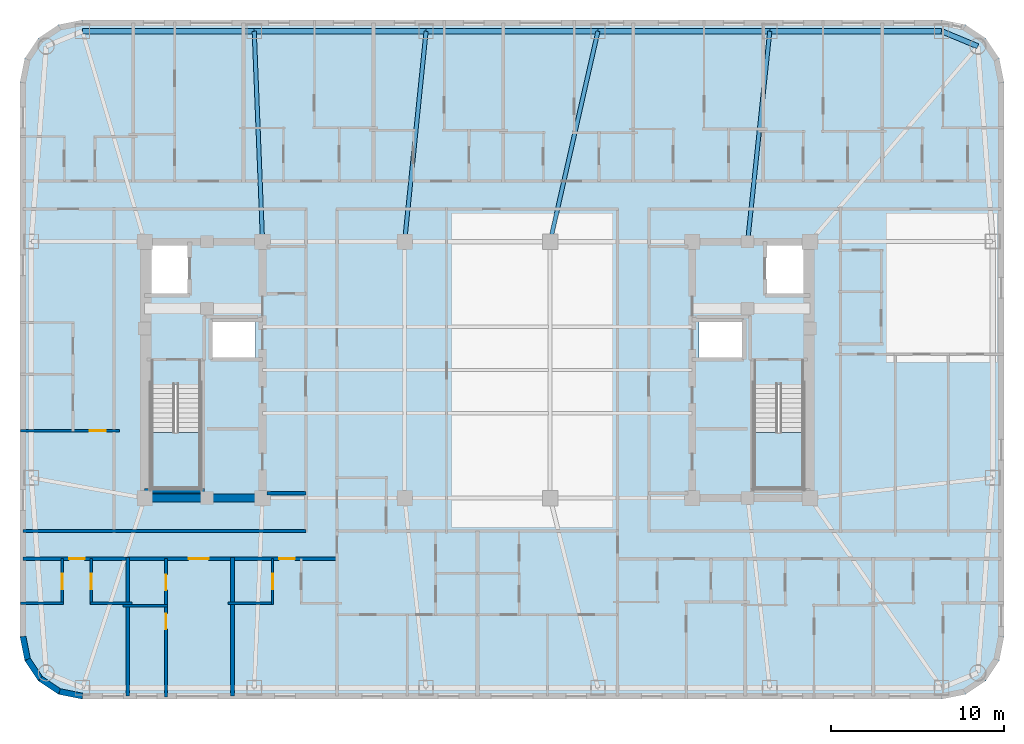
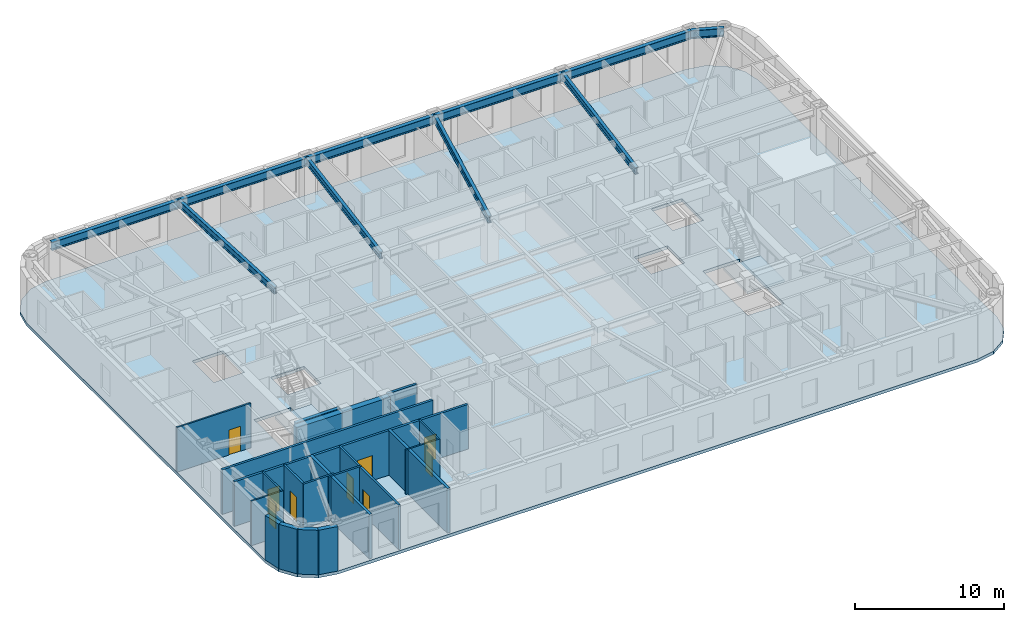
# One storey, part 2 of 11: 21 walls, 10 beams, 9 doors, 3 slabs, 9 openings, 2 elements without a shape of their own.
"""IFC4 building model written with IfcOpenShell, lengths in metres."""

from ifc_helpers import new_model, si_unit, direction, frame, frame_2d, origin, origin_2d, place, context, subcontext, project, spatial, polyline, rectangle, i_section, outline, extrude, material, layer, layer_set, material_profile, profile_set, type_object, element, fill, aggregate, save


model = new_model("IFC4")

# Units and contexts
model_context = context("Model", 3, precision=1e-05, world=origin(), true_north=direction((0.0, 1.0)))
body_context = subcontext(model_context, "Body", "Model", "MODEL_VIEW")
ifc_project = project(units=[si_unit("LENGTHUNIT", "METRE"), si_unit("AREAUNIT", "SQUARE_METRE"), si_unit("VOLUMEUNIT", "CUBIC_METRE"), si_unit("PLANEANGLEUNIT", "RADIAN"), si_unit("MASSUNIT", "GRAM", prefix="KILO")], contexts=[model_context])

# Site, building, storey
site_placement = place(None, origin())
site = spatial("IfcSite", under=ifc_project, at=site_placement, CompositionType="ELEMENT")
building_placement = place(site_placement, origin())
building = spatial("IfcBuilding", under=site, at=building_placement, Name="Voryun Gate Residences", CompositionType="ELEMENT")
storey_placement = place(building_placement, frame((0.0, 0.0, 243.10009765625)))
storey = spatial("IfcBuildingStorey", under=building, at=storey_placement, Name="L60", CompositionType="ELEMENT", Elevation=243.10009765625)

# Beams
ifc_material_1 = material(Name="Steel SM355", Category="steel")
ifc_material_profile_1 = material_profile(ifc_material_1, i_section(OverallWidth=0.300048828125, OverallDepth=0.679931640625, WebThickness=0.013916015625, FlangeThickness=0.02490234375, FilletRadius=0.01806640625, at=origin_2d()), Name="H-680x300x14x25")
ifc_profile_set_1 = profile_set([ifc_material_profile_1], Name="Steel SM355")
beam_type_1 = type_object("IfcBeamType", Name="BM_EXO_SPANDREL_M", PredefinedType="SPANDREL", material=ifc_profile_set_1)
beam_1_placement = place(storey_placement, frame((28.885986328125, 18.68603515625, 3.309814453125), z_axis=(-0.923881087602, 0.382679678022, 0.0), x_axis=(-0.382679678022, -0.923881087602, 0.0)))
element("IfcBeam", 1, at=beam_1_placement, inside=storey, type_object=beam_type_1, Name="BM-L60-SPAND-10", PredefinedType="SPANDREL", context=body_context, shape_type="SweptSolid", body=[
    extrude(i_section(OverallWidth=0.300048828125, OverallDepth=0.679931640625, WebThickness=0.013916015625, FlangeThickness=0.02490234375, FilletRadius=0.01806640625, at=origin_2d()), origin(), (0.0, 0.0, 1.0), 2.2578125),
])
beam_2_placement = place(storey_placement, frame((26.800048828125, 19.550048828125, 3.309814453125), z_axis=(-1.0, 0.0, 0.0), x_axis=(0.0, -1.0, 0.0)))
element("IfcBeam", 2, at=beam_2_placement, inside=storey, type_object=beam_type_1, Name="BM-L60-SPAND-11", PredefinedType="SPANDREL", context=body_context, shape_type="SweptSolid", body=[
    extrude(i_section(OverallWidth=0.300048828125, OverallDepth=0.679931640625, WebThickness=0.013916015625, FlangeThickness=0.02490234375, FilletRadius=0.01806640625, at=origin_2d()), origin(), (0.0, 0.0, 1.0), 9.920166015625),
])
for number, where, z_axis, x_axis, name in (
    (3, (16.8798828125, 19.550048828125, 3.309814453125), (-1.0, 0.0, 0.0), (0.0, -1.0, 0.0), "BM-L60-SPAND-12"),
    (4, (6.9599609375, 19.550048828125, 3.309814453125), (-1.0, 0.0, 0.0), (0.0, -1.0, 0.0), "BM-L60-SPAND-13"),
    (5, (-2.9599609375, 19.550048828125, 3.309814453125), (-1.0, 0.0, 0.0), (0.0, -1.0, 0.0), "BM-L60-SPAND-14"),
):
    element("IfcBeam", number, at=place(storey_placement, frame(where, z_axis=z_axis, x_axis=x_axis)), inside=storey, type_object=beam_type_1, Name=name, PredefinedType="SPANDREL", context=body_context, shape_type="SweptSolid", body=[
        extrude(i_section(OverallWidth=0.300048828125, OverallDepth=0.679931640625, WebThickness=0.013916015625, FlangeThickness=0.02490234375, FilletRadius=0.01806640625, at=origin_2d()), origin(), (0.0, 0.0, 1.0), 9.919921875),
    ])
beam_3_placement = place(storey_placement, frame((-12.8798828125, 19.550048828125, 3.309814453125), z_axis=(-1.0, 0.0, 0.0), x_axis=(0.0, -1.0, 0.0)))
element("IfcBeam", 6, at=beam_3_placement, inside=storey, type_object=beam_type_1, Name="BM-L60-SPAND-15", PredefinedType="SPANDREL", context=body_context, shape_type="SweptSolid", body=[
    extrude(i_section(OverallWidth=0.300048828125, OverallDepth=0.679931640625, WebThickness=0.013916015625, FlangeThickness=0.02490234375, FilletRadius=0.01806640625, at=origin_2d()), origin(), (0.0, 0.0, 1.0), 9.920166015625),
])
ifc_material_2 = material(Name="Steel SM355", Category="steel")
ifc_material_profile_2 = material_profile(ifc_material_2, i_section(OverallWidth=0.239990234375, OverallDepth=0.550048828125, WebThickness=0.011962890625, FlangeThickness=0.02001953125, FilletRadius=0.01806640625, at=origin_2d()), Name="H-550x240x12x20")
ifc_profile_set_2 = profile_set([ifc_material_profile_2], Name="Steel SM355")
beam_type_2 = type_object("IfcBeamType", Name="BM_GIRD_550", PredefinedType="USERDEFINED", material=ifc_profile_set_2)
beam_4_placement = place(storey_placement, frame((15.60009765625, 7.39990234375, 3.375), z_axis=(0.104751358085, 0.994498442925, 0.0), x_axis=(-0.994498442925, 0.104751358085, 0.0)))
element("IfcBeam", 7, at=beam_4_placement, inside=storey, type_object=beam_type_2, Name="BM-L60-RAD-N2", ObjectType="GIRDER", PredefinedType="USERDEFINED", context=body_context, shape_type="SweptSolid", body=[
    extrude(i_section(OverallWidth=0.239990234375, OverallDepth=0.550048828125, WebThickness=0.011962890625, FlangeThickness=0.02001953125, FilletRadius=0.01806640625, at=origin_2d()), origin(), (0.0, 0.0, 1.0), 12.21728515625),
])
beam_5_placement = place(storey_placement, frame((4.199951171875, 7.39990234375, 3.375), z_axis=(0.221515238368, 0.975156910026, 0.0), x_axis=(-0.975156910026, 0.221515238368, 0.0)))
element("IfcBeam", 8, at=beam_5_placement, inside=storey, type_object=beam_type_2, Name="BM-L60-RAD-N3", ObjectType="GIRDER", PredefinedType="USERDEFINED", context=body_context, shape_type="SweptSolid", body=[
    extrude(i_section(OverallWidth=0.239990234375, OverallDepth=0.550048828125, WebThickness=0.011962890625, FlangeThickness=0.02001953125, FilletRadius=0.01806640625, at=origin_2d()), origin(), (0.0, 0.0, 1.0), 12.459716796875),
])
beam_6_placement = place(storey_placement, frame((-4.199951171875, 7.39990234375, 3.375), z_axis=(0.101528223047, 0.994832659257, 0.0), x_axis=(-0.994832659257, 0.101528223047, 0.0)))
element("IfcBeam", 9, at=beam_6_placement, inside=storey, type_object=beam_type_2, Name="BM-L60-RAD-N4", ObjectType="GIRDER", PredefinedType="USERDEFINED", context=body_context, shape_type="SweptSolid", body=[
    extrude(i_section(OverallWidth=0.239990234375, OverallDepth=0.550048828125, WebThickness=0.011962890625, FlangeThickness=0.02001953125, FilletRadius=0.01806640625, at=origin_2d()), origin(), (0.0, 0.0, 1.0), 12.213134765625),
])
beam_7_placement = place(storey_placement, frame((-12.39990234375, 7.39990234375, 3.375), z_axis=(-0.039473300578, 0.999220625558, 0.0), x_axis=(-0.999220625558, -0.039473300578, 0.0)))
element("IfcBeam", 10, at=beam_7_placement, inside=storey, type_object=beam_type_2, Name="BM-L60-RAD-N5", ObjectType="GIRDER", PredefinedType="USERDEFINED", context=body_context, shape_type="SweptSolid", body=[
    extrude(i_section(OverallWidth=0.239990234375, OverallDepth=0.550048828125, WebThickness=0.011962890625, FlangeThickness=0.02001953125, FilletRadius=0.01806640625, at=origin_2d()), origin(), (0.0, 0.0, 1.0), 12.15966796875),
])

# Slab
ifc_material_3 = material(Name="Concrete C40/50", Category="concrete")
ifc_layer_1 = layer(ifc_material_3, 0.25, Name="SLB_RES_250")
ifc_layer_set_1 = layer_set([ifc_layer_1], Name="Concrete C40/50")
slab_type_1 = type_object("IfcSlabType", Name="SLB_RES_250", PredefinedType="FLOOR", material=ifc_layer_set_1)
slab_1_placement = place(storey_placement, frame((0.0, 0.0, -0.25)))
element("IfcSlab", 11, at=slab_1_placement, inside=storey, type_object=slab_type_1, Name="L60 Structural Floor Slab", PredefinedType="FLOOR", context=body_context, shape_type="SweptSolid", body=[
    extrude(outline(polyline([(-22.800048828125, -19.0), (-24.177734375, -18.72607421875), (-25.345458984375, -17.945556640625), (-26.1259765625, -16.777587890625), (-26.39990234375, -15.39990234375), (-26.39990234375, 16.60009765625), (-26.1259765625, 17.9775390625), (-25.345458984375, 19.1455078125), (-24.177734375, 19.926025390625), (-22.800048828125, 20.199951171875), (26.800048828125, 20.199951171875), (28.177734375, 19.926025390625), (29.345458984375, 19.1455078125), (30.1259765625, 17.9775390625), (30.39990234375, 16.60009765625), (30.39990234375, -15.39990234375), (30.1259765625, -16.777587890625), (29.345458984375, -17.945556640625), (28.177734375, -18.72607421875), (26.800048828125, -19.0), (-22.800048828125, -19.0)]), holes=[polyline([(-15.97509765625, -0.840087890625), (-18.824951171875, -0.840087890625), (-18.824951171875, -6.85009765625), (-15.97509765625, -6.85009765625), (-15.97509765625, -0.840087890625)]), polyline([(18.824951171875, -6.85009765625), (18.824951171875, -0.840087890625), (15.97509765625, -0.840087890625), (15.97509765625, -6.85009765625), (18.824951171875, -6.85009765625)]), polyline([(-12.800048828125, 2.89990234375), (-15.39990234375, 2.89990234375), (-15.39990234375, 0.60009765625), (-12.800048828125, 0.60009765625), (-12.800048828125, 2.89990234375)]), polyline([(12.800048828125, 2.89990234375), (12.800048828125, 0.60009765625), (15.39990234375, 0.60009765625), (15.39990234375, 2.89990234375), (12.800048828125, 2.89990234375)]), polyline([(-16.60009765625, 7.199951171875), (-19.0, 7.199951171875), (-19.0, 4.300048828125), (-16.60009765625, 4.300048828125), (-16.60009765625, 7.199951171875)]), polyline([(19.0, 7.199951171875), (16.60009765625, 7.199951171875), (16.60009765625, 4.300048828125), (19.0, 4.300048828125), (19.0, 7.199951171875)])]), origin(), (0.0, 0.0, 1.0), 0.25),
])

# Stair, slab
ifc_material_4 = material(Name="Concrete C40/50", Category="concrete")
stair_type = type_object("IfcStairType", Name="STR_CORE_DOGLEG_1350", PredefinedType="HALF_TURN_STAIR", material=ifc_material_4)
stair_1_placement = place(storey_placement, origin())
stair_1 = element("IfcStair", 12, at=stair_1_placement, inside=storey, type_object=stair_type, Name="L60 Special Escape Stair ST-W1", PredefinedType="HALF_TURN_STAIR")
ifc_material_5 = material(Name="Concrete C40/50", Category="concrete")
ifc_layer_2 = layer(ifc_material_5, 0.199951171875, Name="SLB_STAIR_LANDING_200")
ifc_layer_set_2 = layer_set([ifc_layer_2], Name="Concrete C40/50")
slab_type_2 = type_object("IfcSlabType", Name="SLB_STAIR_LANDING_200", PredefinedType="LANDING", material=ifc_layer_set_2)
slab_2_placement = place(storey_placement, frame((0.0, 0.0, 1.75)))
slab_2 = element("IfcSlab", 13, at=slab_2_placement, type_object=slab_type_2, Name="ST-W1 landing 1", PredefinedType="LANDING", context=body_context, shape_type="SweptSolid", body=[
    extrude(outline(polyline([(-18.824951171875, -3.60009765625), (-18.824951171875, -6.85009765625), (-15.97509765625, -6.85009765625), (-15.97509765625, -3.60009765625), (-18.824951171875, -3.60009765625)])), origin(), (0.0, 0.0, 1.0), 0.199951171875),
])
aggregate(stair_1, [slab_2])

stair_2_placement = place(storey_placement, origin())
stair_2 = element("IfcStair", 14, at=stair_2_placement, inside=storey, type_object=stair_type, Name="L60 Special Escape Stair ST-E1", PredefinedType="HALF_TURN_STAIR")
slab_3_placement = place(storey_placement, frame((0.0, 0.0, 1.75)))
slab_3 = element("IfcSlab", 15, at=slab_3_placement, type_object=slab_type_2, Name="ST-E1 landing 1", PredefinedType="LANDING", context=body_context, shape_type="SweptSolid", body=[
    extrude(outline(polyline([(15.97509765625, -3.60009765625), (15.97509765625, -6.85009765625), (18.824951171875, -6.85009765625), (18.824951171875, -3.60009765625), (15.97509765625, -3.60009765625)])), origin(), (0.0, 0.0, 1.0), 0.199951171875),
])
aggregate(stair_2, [slab_3])

# Walls
ifc_material_6 = material(Name="Concrete C50/60", Category="concrete")
ifc_layer_3 = layer(ifc_material_6, 0.449951171875, Name="CW_CORE_450")
ifc_layer_set_3 = layer_set([ifc_layer_3], Name="Concrete C50/60")
wall_type_1 = type_object("IfcWallType", Name="CW_CORE_450", PredefinedType="SHEAR", material=ifc_layer_set_3)
wall_1_placement = place(storey_placement, frame((-19.425048828125, -7.39990234375, 0.0), z_axis=(0.0, 0.0, 1.0), x_axis=(1.0, 0.0, 0.0)))
element("IfcWall", 16, at=wall_1_placement, inside=storey, type_object=wall_type_1, Name="L60 Core shear wall CW-L60-WS", PredefinedType="SHEAR", context=body_context, shape_type="SweptSolid", body=[
    extrude(rectangle(XDim=7.25, YDim=0.449951171875, at=frame_2d((3.625, 0.0))), origin(), (0.0, 0.0, 1.0), 3.64990234375),
])
ifc_material_7 = material(Name="Gypsum acoustic fireboard")
ifc_layer_4 = layer(ifc_material_7, 0.179931640625, Name="W_CORR_RATED_180")
ifc_layer_set_4 = layer_set([ifc_layer_4], Name="Gypsum acoustic fireboard")
wall_type_2 = type_object("IfcWallType", Name="W_CORR_RATED_180", PredefinedType="PARTITIONING", material=ifc_layer_set_4)
wall_2_placement = place(storey_placement, frame((-12.14990234375, -7.1201171875, 0.0), z_axis=(0.0, 0.0, 1.0), x_axis=(1.0, 0.0, 0.0)))
element("IfcWall", 17, at=wall_2_placement, inside=storey, type_object=wall_type_2, Name="Partition wall WP-L60-PLBS-W", PredefinedType="PARTITIONING", context=body_context, shape_type="SweptSolid", body=[
    extrude(rectangle(XDim=2.27001953125, YDim=0.179931640625, at=frame_2d((1.135009765625, 0.0))), origin(), (0.0, 0.0, 1.0), 3.64990234375),
])
wall_3_placement = place(storey_placement, frame((-26.22998046875, -9.2900390625, 0.0), z_axis=(0.0, 0.0, 1.0), x_axis=(1.0, 0.0, 0.0)))
element("IfcWall", 18, at=wall_3_placement, inside=storey, type_object=wall_type_2, Name="Partition wall WP-L60-CWING-WS", PredefinedType="PARTITIONING", context=body_context, shape_type="SweptSolid", body=[
    extrude(rectangle(XDim=16.35009765625, YDim=0.179931640625, at=frame_2d((8.175048828125, 0.0))), origin(), (0.0, 0.0, 1.0), 3.64990234375),
])

# Wall, openings, doors
wall_4_placement = place(storey_placement, frame((-26.22998046875, -10.89990234375, 0.0), z_axis=(0.0, 0.0, 1.0), x_axis=(1.0, 0.0, 0.0)))
wall_4 = element("IfcWall", 19, at=wall_4_placement, inside=storey, type_object=wall_type_2, Name="Partition wall WP-L60-SCORR-W", PredefinedType="PARTITIONING", context=body_context, shape_type="SweptSolid", body=[
    extrude(rectangle(XDim=18.14990234375, YDim=0.179931640625, at=frame_2d((9.074951171875, 0.0))), origin(), (0.0, 0.0, 1.0), 3.64990234375),
])
opening_1_placement = place(wall_4_placement, frame((2.6591796875, 0.0, 0.0)))
opening_1 = element("IfcOpeningElement", 20, at=opening_1_placement, cuts=wall_4, Name="Opening D-INT-2", PredefinedType="OPENING", context=body_context, shape_type="SweptSolid", body=[
    extrude(rectangle(XDim=0.89990234375, YDim=2.050048828125, at=frame_2d((0.449951171875, 1.02490234375))), frame((0.0, 0.099853515625, 0.0), z_axis=(0.0, -1.0, 0.0), x_axis=(1.0, 0.0, 0.0)), (0.0, 0.0, 1.0), 0.199951171875),
])
opening_2_placement = place(wall_4_placement, frame((9.57080078125, 0.0, 0.0)))
opening_2 = element("IfcOpeningElement", 21, at=opening_2_placement, cuts=wall_4, Name="Opening D-UNIT-1", PredefinedType="OPENING", context=body_context, shape_type="SweptSolid", body=[
    extrude(rectangle(XDim=1.14990234375, YDim=2.050048828125, at=frame_2d((0.574951171875, 1.02490234375))), frame((0.0, 0.099853515625, 0.0), z_axis=(0.0, -1.0, 0.0), x_axis=(1.0, 0.0, 0.0)), (0.0, 0.0, 1.0), 0.199951171875),
])
opening_3_placement = place(wall_4_placement, frame((14.79248046875, 0.0, 0.0)))
opening_3 = element("IfcOpeningElement", 22, at=opening_3_placement, cuts=wall_4, Name="Opening D-INT-2", PredefinedType="OPENING", context=body_context, shape_type="SweptSolid", body=[
    extrude(rectangle(XDim=0.89990234375, YDim=2.050048828125, at=frame_2d((0.449951171875, 1.02490234375))), frame((0.0, 0.099853515625, 0.0), z_axis=(0.0, -1.0, 0.0), x_axis=(1.0, 0.0, 0.0)), (0.0, 0.0, 1.0), 0.199951171875),
])
ifc_material_8 = material(Name="Architectural oak veneer")
door_type_1 = type_object("IfcDoorType", Name="DR_INT_BATH_900", OperationType="NOTDEFINED", PredefinedType="DOOR", material=ifc_material_8)
door_1_placement = place(opening_1_placement, origin())
door_1 = element("IfcDoor", 23, at=door_1_placement, inside=storey, type_object=door_type_1, Name="Door DR-L60-SENT-1", OperationType="SINGLE_SWING_RIGHT", OverallHeight=2.050048828125, OverallWidth=0.89990234375, PredefinedType="DOOR", context=body_context, shape_type="SweptSolid", body=[
    extrude(rectangle(XDim=0.89990234375, YDim=2.050048828125, at=frame_2d((0.449951171875, 1.02490234375))), frame((0.0, 0.02490234375, 0.0), z_axis=(0.0, -1.0, 0.0), x_axis=(1.0, 0.0, 0.0)), (0.0, 0.0, 1.0), 0.050048828125),
])
fill(opening_1, door_1)
door_2_placement = place(opening_3_placement, origin())
door_2 = element("IfcDoor", 24, at=door_2_placement, inside=storey, type_object=door_type_1, Name="Door DR-L60-SENT-3", OperationType="SINGLE_SWING_RIGHT", OverallHeight=2.050048828125, OverallWidth=0.89990234375, PredefinedType="DOOR", context=body_context, shape_type="SweptSolid", body=[
    extrude(rectangle(XDim=0.89990234375, YDim=2.050048828125, at=frame_2d((0.449951171875, 1.02490234375))), frame((0.0, 0.02490234375, 0.0), z_axis=(0.0, -1.0, 0.0), x_axis=(1.0, 0.0, 0.0)), (0.0, 0.0, 1.0), 0.050048828125),
])
fill(opening_3, door_2)
ifc_material_9 = material(Name="Armoured timber-clad fire door", Category="wood")
door_type_2 = type_object("IfcDoorType", Name="DR_UNIT_ENTRY_1150", OperationType="NOTDEFINED", PredefinedType="DOOR", material=ifc_material_9)
door_3_placement = place(opening_2_placement, origin())
door_3 = element("IfcDoor", 25, at=door_3_placement, inside=storey, type_object=door_type_2, Name="Door DR-L60-SENT-2", OperationType="SINGLE_SWING_LEFT", OverallHeight=2.050048828125, OverallWidth=1.14990234375, PredefinedType="DOOR", context=body_context, shape_type="SweptSolid", body=[
    extrude(rectangle(XDim=1.14990234375, YDim=2.050048828125, at=frame_2d((0.574951171875, 1.02490234375))), frame((0.0, 0.02490234375, 0.0), z_axis=(0.0, -1.0, 0.0), x_axis=(1.0, 0.0, 0.0)), (0.0, 0.0, 1.0), 0.050048828125),
])
fill(opening_2, door_3)

# Walls
ifc_material_10 = material(Name="Charcoal terracotta masonry", Category="masonry")
ifc_layer_5 = layer(ifc_material_10, 0.340087890625, Name="W_EXT_TERRACOTTA_340")
ifc_layer_set_5 = layer_set([ifc_layer_5], Name="Charcoal terracotta masonry")
wall_type_3 = type_object("IfcWallType", Name="W_EXT_TERRACOTTA_340", PredefinedType="ELEMENTEDWALL", material=ifc_layer_set_5)
wall_5_placement = place(storey_placement, frame((-22.783203125, -18.830078125, 0.0), z_axis=(0.0, 0.0, 1.0), x_axis=(-0.980788153188, 0.195075878998, 0.0)))
element("IfcWall", 26, at=wall_5_placement, inside=storey, type_object=wall_type_3, Name="Exterior wall WEXT-L60-02", PredefinedType="ELEMENTEDWALL", context=body_context, shape_type="SweptSolid", body=[
    extrude(rectangle(XDim=1.354248046875, YDim=0.340087890625, at=frame_2d((0.67724609375, 0.0))), origin(), (0.0, 0.0, 1.0), 3.64990234375),
])
wall_6_placement = place(storey_placement, frame((-24.111328125, -18.56591796875, 0.0), z_axis=(0.0, 0.0, 1.0), x_axis=(-0.831403586725, 0.555669034571, 0.0)))
element("IfcWall", 27, at=wall_6_placement, inside=storey, type_object=wall_type_3, Name="Exterior wall WEXT-L60-03", PredefinedType="ELEMENTEDWALL", context=body_context, shape_type="SweptSolid", body=[
    extrude(rectangle(XDim=1.3369140625, YDim=0.340087890625, at=frame_2d((0.66845703125, 0.0))), origin(), (0.0, 0.0, 1.0), 3.64990234375),
])
wall_7_placement = place(storey_placement, frame((-25.222900390625, -17.822998046875, 0.0), z_axis=(0.0, 0.0, 1.0), x_axis=(-0.555584683399, 0.831459956686, 0.0)))
element("IfcWall", 28, at=wall_7_placement, inside=storey, type_object=wall_type_3, Name="Exterior wall WEXT-L60-04", PredefinedType="ELEMENTEDWALL", context=body_context, shape_type="SweptSolid", body=[
    extrude(rectangle(XDim=1.337158203125, YDim=0.340087890625, at=frame_2d((0.66845703125, 0.0))), origin(), (0.0, 0.0, 1.0), 3.64990234375),
])
wall_8_placement = place(storey_placement, frame((-25.9658203125, -16.711181640625, 0.0), z_axis=(0.0, 0.0, 1.0), x_axis=(-0.195110379894, 0.98078129043, 0.0)))
element("IfcWall", 29, at=wall_8_placement, inside=storey, type_object=wall_type_3, Name="Exterior wall WEXT-L60-05", PredefinedType="ELEMENTEDWALL", context=body_context, shape_type="SweptSolid", body=[
    extrude(rectangle(XDim=1.35400390625, YDim=0.340087890625, at=frame_2d((0.677001953125, 0.0))), origin(), (0.0, 0.0, 1.0), 3.64990234375),
])
ifc_material_11 = material(Name="Concrete C40/50", Category="concrete")
ifc_layer_6 = layer(ifc_material_11, 0.219970703125, Name="W_PARTY_ACOUSTIC_220")
ifc_layer_set_6 = layer_set([ifc_layer_6], Name="Concrete C40/50")
wall_type_4 = type_object("IfcWallType", Name="W_PARTY_ACOUSTIC_220", PredefinedType="PARTITIONING", material=ifc_layer_set_6)
for number, where, z_axis, x_axis, name in (
    (30, (-20.18505859375, -18.830078125, 0.0), (0.0, 0.0, 1.0), (0.0, 1.0, 0.0), "Partition wall WP-L60-SPTY-1"),
    (31, (-14.132080078125, -18.830078125, 0.0), (0.0, 0.0, 1.0), (0.0, 1.0, 0.0), "Partition wall WP-L60-SPTY-2"),
):
    element("IfcWall", number, at=place(storey_placement, frame(where, z_axis=z_axis, x_axis=x_axis)), inside=storey, type_object=wall_type_4, Name=name, PredefinedType="PARTITIONING", context=body_context, shape_type="SweptSolid", body=[
        extrude(rectangle(XDim=8.010009765625, YDim=0.219970703125, at=frame_2d((4.0048828125, 0.0))), origin(), (0.0, 0.0, 1.0), 3.64990234375),
    ])
ifc_material_12 = material(Name="Concrete C50/60", Category="concrete")
ifc_layer_7 = layer(ifc_material_12, 0.25, Name="W_SHAFT_RC250")
ifc_layer_set_7 = layer_set([ifc_layer_7], Name="Concrete C50/60")
wall_type_5 = type_object("IfcWallType", Name="W_SHAFT_RC250", PredefinedType="SOLIDWALL", material=ifc_layer_set_7)
wall_9_placement = place(storey_placement, frame((-19.199951171875, -6.965087890625, 0.0), z_axis=(0.0, 0.0, 1.0), x_axis=(1.0, 0.0, 0.0)))
element("IfcWall", 32, at=wall_9_placement, inside=storey, type_object=wall_type_5, Name="L60 Stair shaft structural wall W-STS", PredefinedType="SOLIDWALL", context=body_context, shape_type="SweptSolid", body=[
    extrude(rectangle(XDim=3.4599609375, YDim=0.25, at=frame_2d((1.72998046875, 0.0))), origin(), (0.0, 0.0, 1.0), 3.64990234375),
])

# Wall, opening, door
ifc_material_13 = material(Name="Gypsum acoustic partition")
ifc_layer_8 = layer(ifc_material_13, 0.125, Name="W_UNIT_PART_125")
ifc_layer_set_8 = layer_set([ifc_layer_8], Name="Gypsum acoustic partition")
wall_type_6 = type_object("IfcWallType", Name="W_UNIT_PART_125", PredefinedType="PARTITIONING", material=ifc_layer_set_8)
wall_10_placement = place(storey_placement, frame((-23.9599609375, -13.530029296875, 0.0), z_axis=(0.0, 0.0, 1.0), x_axis=(0.0, 1.0, 0.0)))
wall_10 = element("IfcWall", 33, at=wall_10_placement, inside=storey, type_object=wall_type_6, Name="Partition wall WP-L60-S1-CVK", PredefinedType="PARTITIONING", context=body_context, shape_type="SweptSolid", body=[
    extrude(rectangle(XDim=2.650146484375, YDim=0.125, at=frame_2d((1.3251953125, 0.0))), origin(), (0.0, 0.0, 1.0), 3.64990234375),
])
opening_4_placement = place(wall_10_placement, frame((0.875, 0.0, 0.0)))
opening_4 = element("IfcOpeningElement", 34, at=opening_4_placement, cuts=wall_10, Name="Opening D-INT-2", PredefinedType="OPENING", context=body_context, shape_type="SweptSolid", body=[
    extrude(rectangle(XDim=0.89990234375, YDim=2.050048828125, at=frame_2d((0.449951171875, 1.02490234375))), frame((0.0, 0.072509765625, 0.0), z_axis=(0.0, -1.0, 0.0), x_axis=(1.0, 0.0, 0.0)), (0.0, 0.0, 1.0), 0.14501953125),
])
door_4_placement = place(opening_4_placement, origin())
door_4 = element("IfcDoor", 35, at=door_4_placement, inside=storey, type_object=door_type_1, Name="Door DR-L60-S1-DK", OperationType="SINGLE_SWING_LEFT", OverallHeight=2.050048828125, OverallWidth=0.89990234375, PredefinedType="DOOR", context=body_context, shape_type="SweptSolid", body=[
    extrude(rectangle(XDim=0.89990234375, YDim=2.050048828125, at=frame_2d((0.449951171875, 1.02490234375))), frame((0.0, 0.02490234375, 0.0), z_axis=(0.0, -1.0, 0.0), x_axis=(1.0, 0.0, 0.0)), (0.0, 0.0, 1.0), 0.050048828125),
])
fill(opening_4, door_4)

# Wall
wall_11_placement = place(storey_placement, frame((-26.3798828125, -13.469970703125, 0.0), z_axis=(0.0, 0.0, 1.0), x_axis=(1.0, 0.0, 0.0)))
element("IfcWall", 36, at=wall_11_placement, inside=storey, type_object=wall_type_6, Name="Partition wall WP-L60-S1-CHK", PredefinedType="PARTITIONING", context=body_context, shape_type="SweptSolid", body=[
    extrude(rectangle(XDim=2.47998046875, YDim=0.125, at=frame_2d((1.239990234375, 0.0))), origin(), (0.0, 0.0, 1.0), 3.64990234375),
])

# Wall, opening, door
wall_12_placement = place(storey_placement, frame((-11.818115234375, -13.530029296875, 0.0), z_axis=(0.0, 0.0, 1.0), x_axis=(0.0, 1.0, 0.0)))
wall_12 = element("IfcWall", 37, at=wall_12_placement, inside=storey, type_object=wall_type_6, Name="Partition wall WP-L60-S3-CVK", PredefinedType="PARTITIONING", context=body_context, shape_type="SweptSolid", body=[
    extrude(rectangle(XDim=2.650146484375, YDim=0.125, at=frame_2d((1.3251953125, 0.0))), origin(), (0.0, 0.0, 1.0), 3.64990234375),
])
opening_5_placement = place(wall_12_placement, frame((0.875, 0.0, 0.0)))
opening_5 = element("IfcOpeningElement", 38, at=opening_5_placement, cuts=wall_12, Name="Opening D-INT-2", PredefinedType="OPENING", context=body_context, shape_type="SweptSolid", body=[
    extrude(rectangle(XDim=0.89990234375, YDim=2.050048828125, at=frame_2d((0.449951171875, 1.02490234375))), frame((0.0, 0.072509765625, 0.0), z_axis=(0.0, -1.0, 0.0), x_axis=(1.0, 0.0, 0.0)), (0.0, 0.0, 1.0), 0.14501953125),
])
door_5_placement = place(opening_5_placement, origin())
door_5 = element("IfcDoor", 39, at=door_5_placement, inside=storey, type_object=door_type_1, Name="Door DR-L60-S3-DK", OperationType="SINGLE_SWING_LEFT", OverallHeight=2.050048828125, OverallWidth=0.89990234375, PredefinedType="DOOR", context=body_context, shape_type="SweptSolid", body=[
    extrude(rectangle(XDim=0.89990234375, YDim=2.050048828125, at=frame_2d((0.449951171875, 1.02490234375))), frame((0.0, 0.02490234375, 0.0), z_axis=(0.0, -1.0, 0.0), x_axis=(1.0, 0.0, 0.0)), (0.0, 0.0, 1.0), 0.050048828125),
])
fill(opening_5, door_5)

# Wall
wall_13_placement = place(storey_placement, frame((-14.39208984375, -13.469970703125, 0.0), z_axis=(0.0, 0.0, 1.0), x_axis=(1.0, 0.0, 0.0)))
element("IfcWall", 40, at=wall_13_placement, inside=storey, type_object=wall_type_6, Name="Partition wall WP-L60-S3-CHK", PredefinedType="PARTITIONING", context=body_context, shape_type="SweptSolid", body=[
    extrude(rectangle(XDim=2.634033203125, YDim=0.125, at=frame_2d((1.31689453125, 0.0))), origin(), (0.0, 0.0, 1.0), 3.64990234375),
])

# Wall, opening, door
wall_14_placement = place(storey_placement, frame((-26.3798828125, -3.510009765625, 0.0), z_axis=(0.0, 0.0, 1.0), x_axis=(1.0, 0.0, 0.0)))
wall_14 = element("IfcWall", 41, at=wall_14_placement, inside=storey, type_object=wall_type_6, Name="Partition wall WP-L60-W1-HZ3", PredefinedType="PARTITIONING", context=body_context, shape_type="SweptSolid", body=[
    extrude(rectangle(XDim=5.72998046875, YDim=0.125, at=frame_2d((2.864990234375, 0.0))), origin(), (0.0, 0.0, 1.0), 3.64990234375),
])
opening_6_placement = place(wall_14_placement, frame((4.019287109375, 0.0, 0.0)))
opening_6 = element("IfcOpeningElement", 42, at=opening_6_placement, cuts=wall_14, Name="Opening D-INT-2", PredefinedType="OPENING", context=body_context, shape_type="SweptSolid", body=[
    extrude(rectangle(XDim=0.89990234375, YDim=2.050048828125, at=frame_2d((0.449951171875, 1.02490234375))), frame((0.0, 0.072509765625, 0.0), z_axis=(0.0, -1.0, 0.0), x_axis=(1.0, 0.0, 0.0)), (0.0, 0.0, 1.0), 0.14501953125),
])
door_6_placement = place(opening_6_placement, origin())
door_6 = element("IfcDoor", 43, at=door_6_placement, inside=storey, type_object=door_type_1, Name="Door DR-L60-W1-DMB", OperationType="SINGLE_SWING_LEFT", OverallHeight=2.050048828125, OverallWidth=0.89990234375, PredefinedType="DOOR", context=body_context, shape_type="SweptSolid", body=[
    extrude(rectangle(XDim=0.89990234375, YDim=2.050048828125, at=frame_2d((0.449951171875, 1.02490234375))), frame((0.0, 0.02490234375, 0.0), z_axis=(0.0, -1.0, 0.0), x_axis=(1.0, 0.0, 0.0)), (0.0, 0.0, 1.0), 0.050048828125),
])
fill(opening_6, door_6)

ifc_material_14 = material(Name="Gypsum moisture-resistant partition")
ifc_layer_9 = layer(ifc_material_14, 0.14990234375, Name="W_WET_PLUMB_150")
ifc_layer_set_9 = layer_set([ifc_layer_9], Name="Gypsum moisture-resistant partition")
wall_type_7 = type_object("IfcWallType", Name="W_WET_PLUMB_150", PredefinedType="PLUMBINGWALL", material=ifc_layer_set_9)
wall_15_placement = place(storey_placement, frame((-22.281982421875, -13.530029296875, 0.0), z_axis=(0.0, 0.0, 1.0), x_axis=(0.0, 1.0, 0.0)))
wall_15 = element("IfcWall", 44, at=wall_15_placement, inside=storey, type_object=wall_type_7, Name="Partition wall WP-L60-S1-CVB", PredefinedType="PLUMBINGWALL", context=body_context, shape_type="SweptSolid", body=[
    extrude(rectangle(XDim=2.650146484375, YDim=0.14990234375, at=frame_2d((1.3251953125, 0.0))), origin(), (0.0, 0.0, 1.0), 3.64990234375),
])
opening_7_placement = place(wall_15_placement, frame((0.875, 0.0, 0.0)))
opening_7 = element("IfcOpeningElement", 45, at=opening_7_placement, cuts=wall_15, Name="Opening D-INT-2", PredefinedType="OPENING", context=body_context, shape_type="SweptSolid", body=[
    extrude(rectangle(XDim=0.89990234375, YDim=2.050048828125, at=frame_2d((0.449951171875, 1.02490234375))), frame((0.0, 0.0849609375, 0.0), z_axis=(0.0, -1.0, 0.0), x_axis=(1.0, 0.0, 0.0)), (0.0, 0.0, 1.0), 0.169921875),
])
door_7_placement = place(opening_7_placement, origin())
door_7 = element("IfcDoor", 46, at=door_7_placement, inside=storey, type_object=door_type_1, Name="Door DR-L60-S1-DB", OperationType="SINGLE_SWING_RIGHT", OverallHeight=2.050048828125, OverallWidth=0.89990234375, PredefinedType="DOOR", context=body_context, shape_type="SweptSolid", body=[
    extrude(rectangle(XDim=0.89990234375, YDim=2.050048828125, at=frame_2d((0.449951171875, 1.02490234375))), frame((0.0, 0.02490234375, 0.0), z_axis=(0.0, -1.0, 0.0), x_axis=(1.0, 0.0, 0.0)), (0.0, 0.0, 1.0), 0.050048828125),
])
fill(opening_7, door_7)

# Walls
wall_16_placement = place(storey_placement, frame((-22.342041015625, -13.469970703125, 0.0), z_axis=(0.0, 0.0, 1.0), x_axis=(1.0, 0.0, 0.0)))
element("IfcWall", 47, at=wall_16_placement, inside=storey, type_object=wall_type_7, Name="Partition wall WP-L60-S1-CHB", PredefinedType="PLUMBINGWALL", context=body_context, shape_type="SweptSolid", body=[
    extrude(rectangle(XDim=2.4169921875, YDim=0.14990234375, at=frame_2d((1.20849609375, 0.0))), origin(), (0.0, 0.0, 1.0), 3.64990234375),
])
wall_17_placement = place(storey_placement, frame((-20.445068359375, -13.60009765625, 0.0), z_axis=(0.0, 0.0, 1.0), x_axis=(1.0, 0.0, 0.0)))
element("IfcWall", 48, at=wall_17_placement, inside=storey, type_object=wall_type_7, Name="Partition wall WP-L60-S2-SKB", PredefinedType="PLUMBINGWALL", context=body_context, shape_type="SweptSolid", body=[
    extrude(rectangle(XDim=2.550048828125, YDim=0.14990234375, at=frame_2d((1.27490234375, 0.0))), origin(), (0.0, 0.0, 1.0), 3.64990234375),
])

# Wall, opening, door
wall_18_placement = place(storey_placement, frame((-17.97509765625, -18.876708984375, 0.0), z_axis=(0.0, 0.0, 1.0), x_axis=(0.0, 1.0, 0.0)))
wall_18 = element("IfcWall", 49, at=wall_18_placement, inside=storey, type_object=wall_type_7, Name="Partition wall WP-L60-S2-SVT1", PredefinedType="PLUMBINGWALL", context=body_context, shape_type="SweptSolid", body=[
    extrude(rectangle(XDim=5.316650390625, YDim=0.14990234375, at=frame_2d((2.658203125, 0.0))), origin(), (0.0, 0.0, 1.0), 3.64990234375),
])
opening_8_placement = place(wall_18_placement, frame((3.909912109375, 0.0, 0.0)))
opening_8 = element("IfcOpeningElement", 50, at=opening_8_placement, cuts=wall_18, Name="Opening D-INT-2", PredefinedType="OPENING", context=body_context, shape_type="SweptSolid", body=[
    extrude(rectangle(XDim=0.89990234375, YDim=2.050048828125, at=frame_2d((0.449951171875, 1.02490234375))), frame((0.0, 0.0849609375, 0.0), z_axis=(0.0, -1.0, 0.0), x_axis=(1.0, 0.0, 0.0)), (0.0, 0.0, 1.0), 0.169921875),
])
door_8_placement = place(opening_8_placement, origin())
door_8 = element("IfcDoor", 51, at=door_8_placement, inside=storey, type_object=door_type_1, Name="Door DR-L60-S2-DK", OperationType="SINGLE_SWING_LEFT", OverallHeight=2.050048828125, OverallWidth=0.89990234375, PredefinedType="DOOR", context=body_context, shape_type="SweptSolid", body=[
    extrude(rectangle(XDim=0.89990234375, YDim=2.050048828125, at=frame_2d((0.449951171875, 1.02490234375))), frame((0.0, 0.02490234375, 0.0), z_axis=(0.0, -1.0, 0.0), x_axis=(1.0, 0.0, 0.0)), (0.0, 0.0, 1.0), 0.050048828125),
])
fill(opening_8, door_8)

wall_19_placement = place(storey_placement, frame((-17.97509765625, -13.639892578125, 0.0), z_axis=(0.0, 0.0, 1.0), x_axis=(0.0, 1.0, 0.0)))
wall_19 = element("IfcWall", 52, at=wall_19_placement, inside=storey, type_object=wall_type_7, Name="Partition wall WP-L60-S2-SVT2", PredefinedType="PLUMBINGWALL", context=body_context, shape_type="SweptSolid", body=[
    extrude(rectangle(XDim=2.760009765625, YDim=0.14990234375, at=frame_2d((1.3798828125, 0.0))), origin(), (0.0, 0.0, 1.0), 3.64990234375),
])
opening_9_placement = place(wall_19_placement, frame((0.929931640625, 0.0, 0.0)))
opening_9 = element("IfcOpeningElement", 53, at=opening_9_placement, cuts=wall_19, Name="Opening D-INT-2", PredefinedType="OPENING", context=body_context, shape_type="SweptSolid", body=[
    extrude(rectangle(XDim=0.89990234375, YDim=2.050048828125, at=frame_2d((0.449951171875, 1.02490234375))), frame((0.0, 0.0849609375, 0.0), z_axis=(0.0, -1.0, 0.0), x_axis=(1.0, 0.0, 0.0)), (0.0, 0.0, 1.0), 0.169921875),
])
door_9_placement = place(opening_9_placement, origin())
door_9 = element("IfcDoor", 54, at=door_9_placement, inside=storey, type_object=door_type_1, Name="Door DR-L60-S2-DB", OperationType="SINGLE_SWING_RIGHT", OverallHeight=2.050048828125, OverallWidth=0.89990234375, PredefinedType="DOOR", context=body_context, shape_type="SweptSolid", body=[
    extrude(rectangle(XDim=0.89990234375, YDim=2.050048828125, at=frame_2d((0.449951171875, 1.02490234375))), frame((0.0, 0.02490234375, 0.0), z_axis=(0.0, -1.0, 0.0), x_axis=(1.0, 0.0, 0.0)), (0.0, 0.0, 1.0), 0.050048828125),
])
fill(opening_9, door_9)

save(model, "model.ifc")
